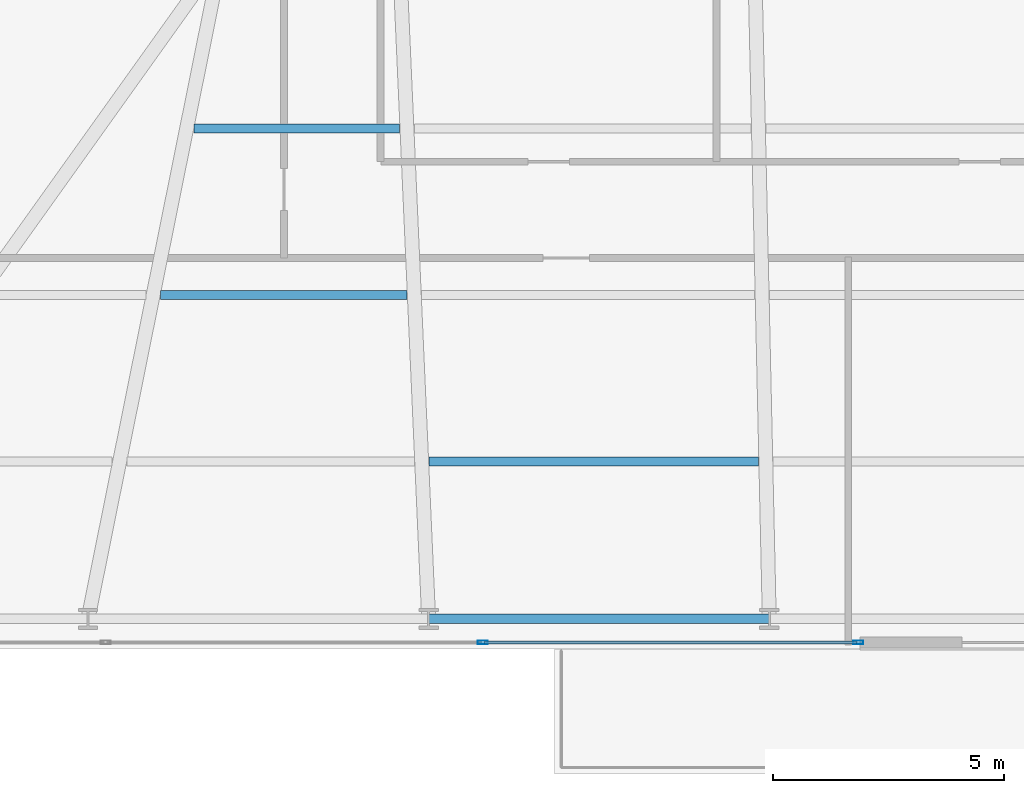
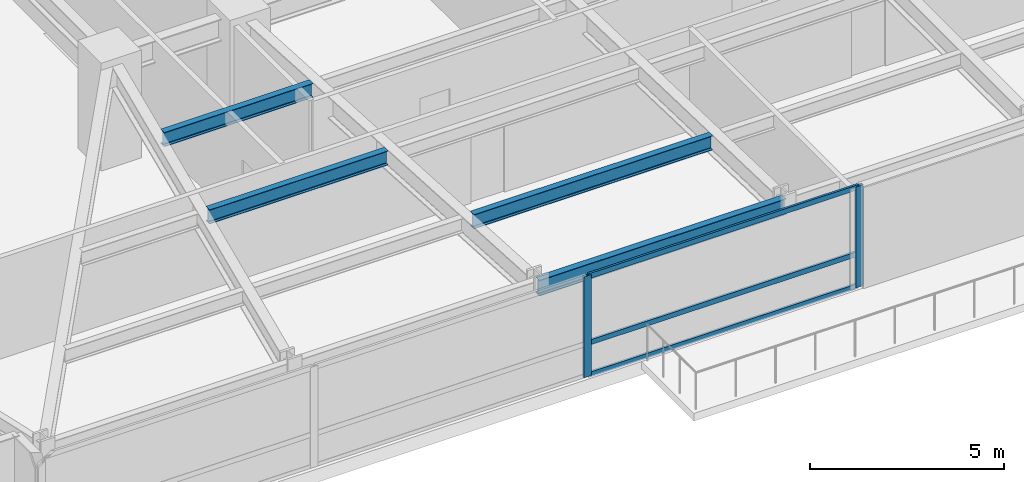
# One storey, part 5 of 31: 5 members, 4 beams, 1 element without a shape of its own.
"""IFC4 building model written with IfcOpenShell, lengths in metres."""

from ifc_helpers import new_model, si_unit, direction, frame, origin, origin_2d, place, context, subcontext, project, spatial, hollow_rectangle, i_section, extrude, material, material_profile, profile_set, type_object, element, aggregate, save


model = new_model("IFC4")

# Units and contexts
model_context = context("Model", 3, precision=1e-05, world=origin(), true_north=direction((0.0, 1.0)))
body_context = subcontext(model_context, "Body", "Model", "MODEL_VIEW")
ifc_project = project(units=[si_unit("LENGTHUNIT", "METRE"), si_unit("AREAUNIT", "SQUARE_METRE"), si_unit("VOLUMEUNIT", "CUBIC_METRE"), si_unit("PLANEANGLEUNIT", "RADIAN"), si_unit("MASSUNIT", "GRAM", prefix="KILO")], contexts=[model_context])

# Site, building, storey
site_placement = place(None, origin())
site = spatial("IfcSite", under=ifc_project, at=site_placement, CompositionType="ELEMENT")
building_placement = place(site_placement, origin())
building = spatial("IfcBuilding", under=site, at=building_placement, Name="Yelkora Congress Tower", CompositionType="ELEMENT")
storey_placement = place(building_placement, frame((0.0, 0.0, 30.39990234375)))
storey = spatial("IfcBuildingStorey", under=building, at=storey_placement, Name="L06", CompositionType="ELEMENT", Elevation=30.39990234375)

# Beams
ifc_material_1 = material(Name="Steel S355J2", Category="steel")
ifc_material_profile_1 = material_profile(ifc_material_1, i_section(OverallWidth=0.18994140625, OverallDepth=0.449951171875, WebThickness=0.009521484375, FlangeThickness=0.0146484375, FilletRadius=0.02099609375, at=origin_2d()), Name="IPE 450")
ifc_profile_set_1 = profile_set([ifc_material_profile_1], Name="Steel S355J2")
beam_type_1 = type_object("IfcBeamType", Name="BM-JOIST-IPE450", PredefinedType="JOIST", material=ifc_profile_set_1)
beam_1_placement = place(storey_placement, frame((23.6845703125, 14.25, 2.955078125), z_axis=(1.0, 0.0, 0.0), x_axis=(0.0, 1.0, 0.0)))
element("IfcBeam", 1, at=beam_1_placement, inside=storey, type_object=beam_type_1, Name="L06 Composite Floor Joist 3", PredefinedType="JOIST", context=body_context, shape_type="SweptSolid", body=[
    extrude(i_section(OverallWidth=0.18994140625, OverallDepth=0.449951171875, WebThickness=0.009521484375, FlangeThickness=0.0146484375, FilletRadius=0.02099609375, at=origin_2d()), origin(), (0.0, 0.0, 1.0), 7.11767578125),
])
beam_2_placement = place(storey_placement, frame((17.881103515625, 17.85009765625, 2.955078125), z_axis=(1.0, 0.0, 0.0), x_axis=(0.0, 1.0, 0.0)))
element("IfcBeam", 2, at=beam_2_placement, inside=storey, type_object=beam_type_1, Name="L06 Composite Floor Joist 10", PredefinedType="JOIST", context=body_context, shape_type="SweptSolid", body=[
    extrude(i_section(OverallWidth=0.18994140625, OverallDepth=0.449951171875, WebThickness=0.009521484375, FlangeThickness=0.0146484375, FilletRadius=0.02099609375, at=origin_2d()), origin(), (0.0, 0.0, 1.0), 5.323974609375),
])
beam_3_placement = place(storey_placement, frame((18.60546875, 21.449951171875, 2.955078125), z_axis=(1.0, 0.0, 0.0), x_axis=(0.0, 1.0, 0.0)))
element("IfcBeam", 3, at=beam_3_placement, inside=storey, type_object=beam_type_1, Name="L06 Composite Floor Joist 17", PredefinedType="JOIST", context=body_context, shape_type="SweptSolid", body=[
    extrude(i_section(OverallWidth=0.18994140625, OverallDepth=0.449951171875, WebThickness=0.009521484375, FlangeThickness=0.0146484375, FilletRadius=0.02099609375, at=origin_2d()), origin(), (0.0, 0.0, 1.0), 4.4404296875),
])
ifc_material_profile_2 = material_profile(ifc_material_1, i_section(OverallWidth=0.199951171875, OverallDepth=0.5, WebThickness=0.01025390625, FlangeThickness=0.01611328125, FilletRadius=0.02099609375, at=origin_2d()), Name="IPE 500")
ifc_profile_set_2 = profile_set([ifc_material_profile_2], Name="Steel S355J2")
beam_type_2 = type_object("IfcBeamType", Name="BM-SPAN-IPE500", PredefinedType="SPANDREL", material=ifc_profile_set_2)
beam_4_placement = place(storey_placement, frame((23.675048828125, 10.85009765625, 2.93017578125), z_axis=(1.0, 0.0, 0.0), x_axis=(0.0, 1.0, 0.0)))
element("IfcBeam", 4, at=beam_4_placement, inside=storey, type_object=beam_type_2, Name="L06 Perimeter Beam 4", PredefinedType="SPANDREL", context=body_context, shape_type="SweptSolid", body=[
    extrude(i_section(OverallWidth=0.199951171875, OverallDepth=0.5, WebThickness=0.01025390625, FlangeThickness=0.01611328125, FilletRadius=0.02099609375, at=origin_2d()), origin(), (0.0, 0.0, 1.0), 7.362548828125),
])

# Curtain wall, members
ifc_material_2 = material(Name="Anodised aluminium and insulated glass", Category="aluminium")
curtain_wall_type = type_object("IfcCurtainWallType", Name="CW-SYS-B1", PredefinedType="NOTDEFINED", material=ifc_material_2)
curtain_wall_placement = place(storey_placement, origin())
curtain_wall = element("IfcCurtainWall", 5, at=curtain_wall_placement, inside=storey, type_object=curtain_wall_type, Name="L06 South-West Curtain Wall", PredefinedType="NOTDEFINED")
ifc_material_3 = material(Name="Anodised aluminium 6063-T6", Category="aluminium")
ifc_material_profile_3 = material_profile(ifc_material_3, hollow_rectangle(XDim=0.074951171875, YDim=0.219970703125, WallThickness=0.0048828125, at=origin_2d()), Name="ALU 75x220x5")
ifc_profile_set_3 = profile_set([ifc_material_profile_3], Name="Anodised aluminium 6063-T6")
member_type_1 = type_object("IfcMemberType", Name="MEM-ML-B1", PredefinedType="MULLION", material=ifc_profile_set_3)
member_1_placement = place(storey_placement, frame((24.8466796875, 10.340087890625, 0.0), z_axis=(0.0, 0.0, 1.0), x_axis=(0.0, 1.0, 0.0)))
member_1 = element("IfcMember", 6, at=member_1_placement, type_object=member_type_1, Name="CW-B1 mullion 3", PredefinedType="MULLION", context=body_context, shape_type="SweptSolid", body=[
    extrude(hollow_rectangle(XDim=0.074951171875, YDim=0.219970703125, WallThickness=0.0048828125, at=origin_2d()), origin(), (0.0, 0.0, 1.0), 3.18017578125),
])
member_2_placement = place(storey_placement, frame((32.96240234375, 10.340087890625, 0.0), z_axis=(0.0, 0.0, 1.0), x_axis=(0.0, 1.0, 0.0)))
member_2 = element("IfcMember", 7, at=member_2_placement, type_object=member_type_1, Name="CW-B1 mullion 4", PredefinedType="MULLION", context=body_context, shape_type="SweptSolid", body=[
    extrude(hollow_rectangle(XDim=0.074951171875, YDim=0.219970703125, WallThickness=0.0048828125, at=origin_2d()), origin(), (0.0, 0.0, 1.0), 3.18017578125),
])
ifc_material_profile_4 = material_profile(ifc_material_3, hollow_rectangle(XDim=0.06494140625, YDim=0.159912109375, WallThickness=0.00390625, at=origin_2d()), Name="ALU 65x160x4")
ifc_profile_set_4 = profile_set([ifc_material_profile_4], Name="Anodised aluminium 6063-T6")
member_type_2 = type_object("IfcMemberType", Name="MEM-TR-B1", PredefinedType="USERDEFINED", material=ifc_profile_set_4)
member_3_placement = place(storey_placement, frame((24.88427734375, 10.340087890625, 0.03271484375), z_axis=(1.0, 0.0, 0.0), x_axis=(0.0, 1.0, 0.0)))
member_3 = element("IfcMember", 8, at=member_3_placement, type_object=member_type_2, Name="CW-B1 transom 3.1", ObjectType="TRANSOM", PredefinedType="USERDEFINED", context=body_context, shape_type="SweptSolid", body=[
    extrude(hollow_rectangle(XDim=0.06494140625, YDim=0.159912109375, WallThickness=0.00390625, at=origin_2d()), origin(), (0.0, 0.0, 1.0), 8.040771484375),
])
member_4_placement = place(storey_placement, frame((24.88427734375, 10.340087890625, 1.050048828125), z_axis=(1.0, 0.0, 0.0), x_axis=(0.0, 1.0, 0.0)))
member_4 = element("IfcMember", 9, at=member_4_placement, type_object=member_type_2, Name="CW-B1 transom 3.2", ObjectType="TRANSOM", PredefinedType="USERDEFINED", context=body_context, shape_type="SweptSolid", body=[
    extrude(hollow_rectangle(XDim=0.06494140625, YDim=0.159912109375, WallThickness=0.00390625, at=origin_2d()), origin(), (0.0, 0.0, 1.0), 8.040771484375),
])
member_5_placement = place(storey_placement, frame((24.88427734375, 10.340087890625, 3.147705078125), z_axis=(1.0, 0.0, 0.0), x_axis=(0.0, 1.0, 0.0)))
member_5 = element("IfcMember", 10, at=member_5_placement, type_object=member_type_2, Name="CW-B1 transom 3.3", ObjectType="TRANSOM", PredefinedType="USERDEFINED", context=body_context, shape_type="SweptSolid", body=[
    extrude(hollow_rectangle(XDim=0.06494140625, YDim=0.159912109375, WallThickness=0.00390625, at=origin_2d()), origin(), (0.0, 0.0, 1.0), 8.040771484375),
])
aggregate(curtain_wall, [member_1, member_2, member_3, member_4, member_5])

save(model, "model.ifc")
